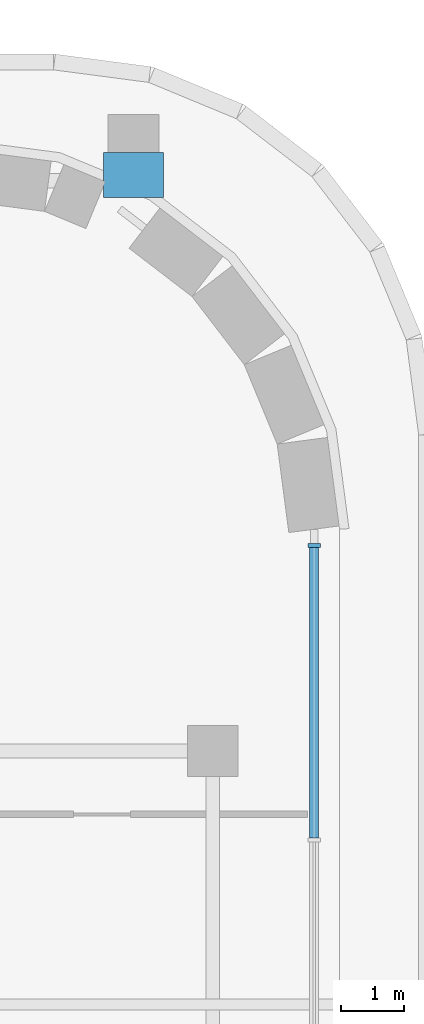
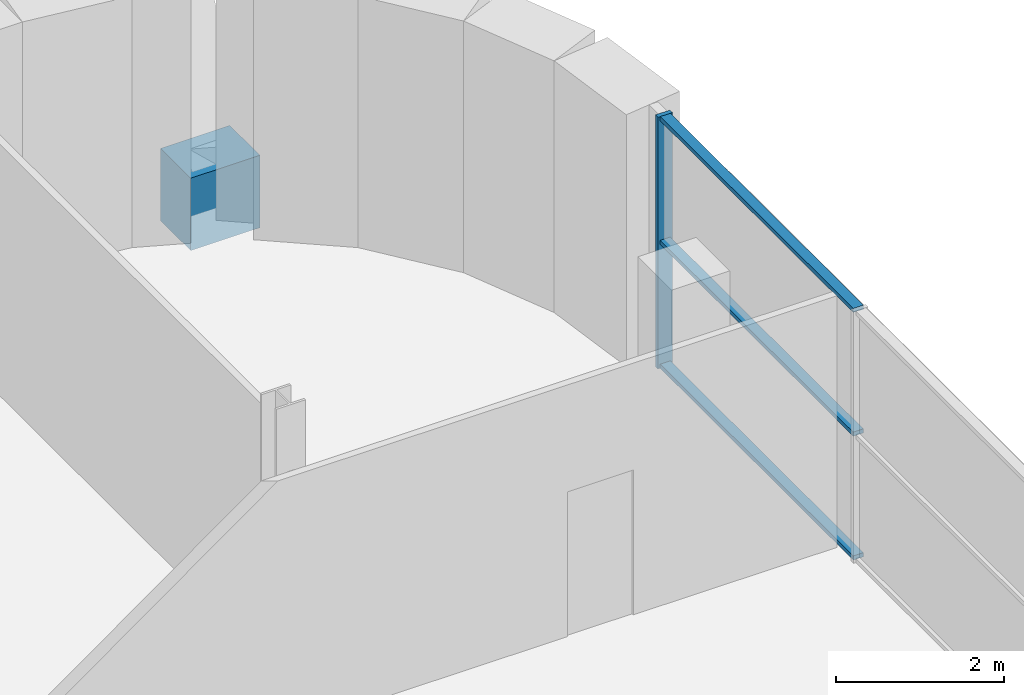
# One storey, part 13 of 25: 4 members, 1 beam, 1 element without a shape of its own.
"""IFC4 building model written with IfcOpenShell, lengths in metres."""

from ifc_helpers import new_model, si_unit, direction, frame, origin, origin_2d, place, context, subcontext, project, spatial, rectangle, extrude, material, material_profile, profile_set, type_object, element, aggregate, save


model = new_model("IFC4")

# Units and contexts
model_context = context("Model", 3, precision=1e-05, world=origin(), true_north=direction((0.0, 1.0)))
body_context = subcontext(model_context, "Body", "Model", "MODEL_VIEW")
ifc_project = project(units=[si_unit("LENGTHUNIT", "METRE"), si_unit("AREAUNIT", "SQUARE_METRE"), si_unit("VOLUMEUNIT", "CUBIC_METRE"), si_unit("PLANEANGLEUNIT", "RADIAN"), si_unit("MASSUNIT", "GRAM", prefix="KILO")], contexts=[model_context])

# Site, building, storey
site_placement = place(None, origin())
site = spatial("IfcSite", under=ifc_project, at=site_placement, CompositionType="ELEMENT")
building_placement = place(site_placement, origin())
building = spatial("IfcBuilding", under=site, at=building_placement, Name="Zellij Exchange Tower", CompositionType="ELEMENT")
storey_placement = place(building_placement, frame((0.0, 0.0, 264.5)))
storey = spatial("IfcBuildingStorey", under=building, at=storey_placement, Name="L62", CompositionType="ELEMENT", Elevation=264.5)

# Curtain wall, members
ifc_material_1 = material(Name="Aluminium frame, clear insulating glass", Category="aluminium")
curtain_wall_type = type_object("IfcCurtainWallType", Name="ENV-CW6 Sky-lobby glazing", PredefinedType="NOTDEFINED", material=ifc_material_1)
curtain_wall_placement = place(storey_placement, origin())
curtain_wall = element("IfcCurtainWall", 1, at=curtain_wall_placement, inside=storey, type_object=curtain_wall_type, Name="cw.L62.07b", PredefinedType="NOTDEFINED")
ifc_material_2 = material(Name="Aluminium", Category="aluminium")
ifc_material_profile_1 = material_profile(ifc_material_2, rectangle(XDim=0.06005859375, YDim=0.199951171875, at=origin_2d()), Name="AL 60x200")
ifc_profile_set_1 = profile_set([ifc_material_profile_1], Name="Aluminium")
member_type_1 = type_object("IfcMemberType", Name="ENV-CW6M Mullion 60x200", PredefinedType="MULLION", material=ifc_profile_set_1)
member_1_placement = place(storey_placement, frame((34.10009765625, 25.243896484375, 0.0), z_axis=(0.0, 0.0, 1.0), x_axis=(0.0, 1.0, 0.0)))
member_1 = element("IfcMember", 2, at=member_1_placement, type_object=member_type_1, Name="CW6 mullion 5", PredefinedType="MULLION", context=body_context, shape_type="SweptSolid", body=[
    extrude(rectangle(XDim=0.06005859375, YDim=0.199951171875, at=origin_2d()), origin(), (0.0, 0.0, 1.0), 3.64990234375),
])
ifc_material_profile_2 = material_profile(ifc_material_2, rectangle(XDim=0.139892578125, YDim=0.06005859375, at=origin_2d()), Name="AL 140x60")
ifc_profile_set_2 = profile_set([ifc_material_profile_2], Name="Aluminium")
member_type_2 = type_object("IfcMemberType", Name="ENV-CW6T Transom 140x60", PredefinedType="USERDEFINED", material=ifc_profile_set_2)
member_2_placement = place(storey_placement, frame((34.10009765625, 20.62548828125, 0.030029296875), z_axis=(0.0, 1.0, 0.0), x_axis=(-1.0, 0.0, 0.0)))
member_2 = element("IfcMember", 3, at=member_2_placement, type_object=member_type_2, Name="CW6 transom 4.1", ObjectType="TRANSOM", PredefinedType="USERDEFINED", context=body_context, shape_type="SweptSolid", body=[
    extrude(rectangle(XDim=0.139892578125, YDim=0.06005859375, at=origin_2d()), origin(), (0.0, 0.0, 1.0), 4.58837890625),
])
member_3_placement = place(storey_placement, frame((34.10009765625, 20.62548828125, 1.824951171875), z_axis=(0.0, 1.0, 0.0), x_axis=(-1.0, 0.0, 0.0)))
member_3 = element("IfcMember", 4, at=member_3_placement, type_object=member_type_2, Name="CW6 transom 4.2", ObjectType="TRANSOM", PredefinedType="USERDEFINED", context=body_context, shape_type="SweptSolid", body=[
    extrude(rectangle(XDim=0.139892578125, YDim=0.06005859375, at=origin_2d()), origin(), (0.0, 0.0, 1.0), 4.58837890625),
])
member_4_placement = place(storey_placement, frame((34.10009765625, 20.62548828125, 3.6201171875), z_axis=(0.0, 1.0, 0.0), x_axis=(-1.0, 0.0, 0.0)))
member_4 = element("IfcMember", 5, at=member_4_placement, type_object=member_type_2, Name="CW6 transom 4.3", ObjectType="TRANSOM", PredefinedType="USERDEFINED", context=body_context, shape_type="SweptSolid", body=[
    extrude(rectangle(XDim=0.139892578125, YDim=0.06005859375, at=origin_2d()), origin(), (0.0, 0.0, 1.0), 4.58837890625),
])
aggregate(curtain_wall, [member_1, member_2, member_3, member_4])

# Beam
ifc_material_3 = material(Name="Concrete C50/60", Category="concrete")
ifc_material_profile_3 = material_profile(ifc_material_3, rectangle(XDim=0.949951171875, YDim=1.050048828125, at=origin_2d()), Name="STR-KNUCKLE BLOCK RC950x1050 C50/60")
ifc_profile_set_3 = profile_set([ifc_material_profile_3], Name="Concrete C50/60")
beam_type = type_object("IfcBeamType", Name="STR-KNUCKLE BLOCK RC950x1050 C50/60", PredefinedType="BEAM", material=ifc_profile_set_3)
beam_placement = place(storey_placement, frame((31.25, 30.731689453125, 0.02490234375), z_axis=(0.0, 1.0, 0.0), x_axis=(-1.0, 0.0, 0.0)))
element("IfcBeam", 6, at=beam_placement, inside=storey, type_object=beam_type, Name="KB1", PredefinedType="BEAM", context=body_context, shape_type="SweptSolid", body=[
    extrude(rectangle(XDim=0.949951171875, YDim=1.050048828125, at=origin_2d()), origin(), (0.0, 0.0, 1.0), 0.715576171875),
])

save(model, "model.ifc")
